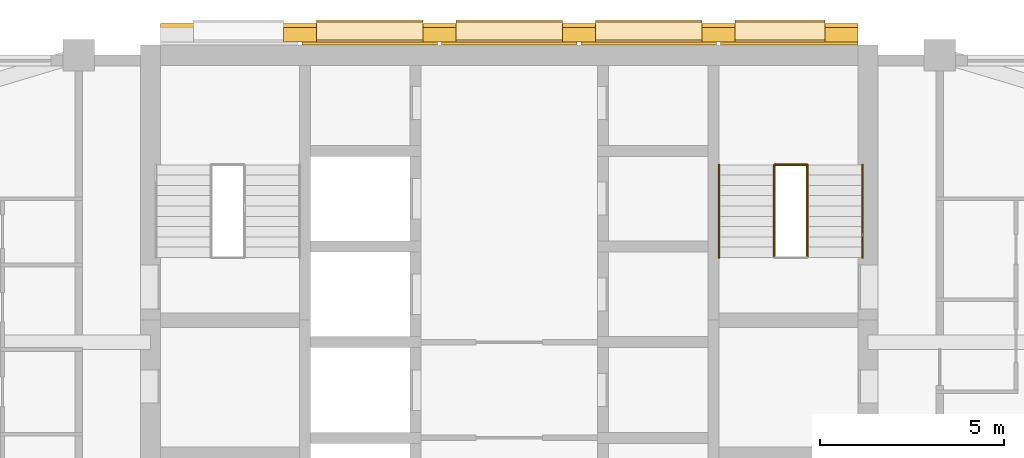
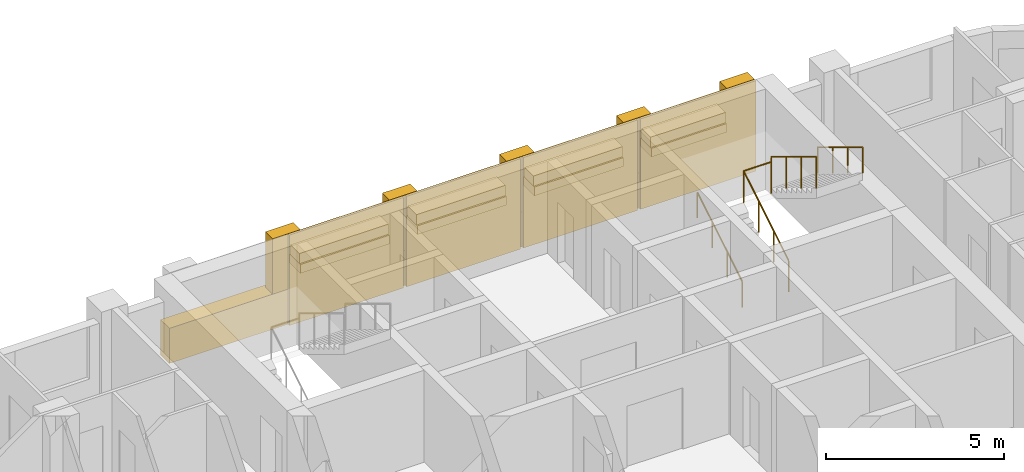
# One storey, part 14 of 14: 18 coverings, 5 railings, 1 element without a shape of its own.
"""IFC4 building model written with IfcOpenShell, lengths in metres."""

import ifcopenshell
import ifcopenshell.guid

model = None  # the IFC model being written
_history = None  # IfcOwnerHistory: only IFC2X3 demands one
_inside = {}  # id of a spatial element -> (the spatial element, [elements in it])
_under = {}  # id of a project, library or spatial element -> (it, [spatial elements below it])
_declared = {}  # id of a project -> (the project, [libraries it declares])
_typed = {}  # id of a type object -> (the type object, [elements of that type])
_made_of = {}  # id of a material, layer set ... -> (it, [elements and type objects made of it])


def new_model(schema):
    """Start an empty IFC model of exactly this schema.

    Asked for "IFC4X3", IfcOpenShell would pick the latest addendum, in which some entities
    have other attributes; the version numbers below select the first issue.
    IFC2X3 requires an IfcOwnerHistory on every rooted entity: one is made here for all.
    """
    global model, _history
    if schema == "IFC4X3":
        model = ifcopenshell.file(schema_version=(4, 3, 0, 0))
    else:
        model = ifcopenshell.file(schema=schema)
    _inside.clear()
    _under.clear()
    _declared.clear()
    _typed.clear()
    _made_of.clear()
    _history = None
    if model.schema == "IFC2X3":
        org = make("IfcOrganization", Name="unknown")
        user = make(
            "IfcPersonAndOrganization",
            ThePerson=make("IfcPerson", FamilyName="unknown"),
            TheOrganization=org,
        )
        app = make(
            "IfcApplication",
            ApplicationDeveloper=org,
            Version="unknown",
            ApplicationFullName="unknown",
            ApplicationIdentifier="unknown",
        )
        _history = make(
            "IfcOwnerHistory",
            OwningUser=user,
            OwningApplication=app,
            ChangeAction="ADDED",
            CreationDate=0,
        )
    return model


def make(cls, **values):
    """One entity of the class cls with the attributes given. An attribute that is None is left unset."""
    return model.create_entity(
        cls, **{name: value for name, value in values.items() if value is not None}
    )


def rooted(cls, **values):
    """An entity with a GlobalId (a new one), such as an element, a storey or a relation."""
    return make(cls, GlobalId=ifcopenshell.guid.new(), OwnerHistory=_history, **values)


def si_unit(unit_type, name, prefix=None):
    """IfcSIUnit, for example si_unit("LENGTHUNIT", "METRE", prefix="MILLI")."""
    return make("IfcSIUnit", UnitType=unit_type, Prefix=prefix, Name=name)


def assignment(units):
    """IfcUnitAssignment: the units of a project."""
    return None if units is None else make("IfcUnitAssignment", Units=units)


def point(xyz):
    """IfcCartesianPoint."""
    return None if xyz is None else make("IfcCartesianPoint", Coordinates=xyz)


def direction(xyz):
    """IfcDirection."""
    return None if xyz is None else make("IfcDirection", DirectionRatios=xyz)


def frame(location, z_axis=None, x_axis=None):
    """IfcAxis2Placement3D, a coordinate frame: its origin and axes. An axis left out is left unset."""
    return make(
        "IfcAxis2Placement3D",
        Location=point(location),
        Axis=direction(z_axis),
        RefDirection=direction(x_axis),
    )


def frame_2d(location, x_axis=None):
    """IfcAxis2Placement2D, a coordinate frame in the plane: its origin and x axis."""
    return make(
        "IfcAxis2Placement2D", Location=point(location), RefDirection=direction(x_axis)
    )


def origin():
    """The frame at (0, 0, 0) with its axes left unset."""
    return frame((0.0, 0.0, 0.0))


def origin_2d():
    """The frame at (0, 0) in the plane with its x axis left unset."""
    return frame_2d((0.0, 0.0))


def place(relative_to, where):
    """IfcLocalPlacement: puts the frame where relative to a parent placement (None: the world)."""
    return make(
        "IfcLocalPlacement", PlacementRelTo=relative_to, RelativePlacement=where
    )


def context(
    kind, dimensions, precision=None, world=None, true_north=None, identifier=None
):
    """IfcGeometricRepresentationContext, for example the 3D "Model" context."""
    return make(
        "IfcGeometricRepresentationContext",
        ContextIdentifier=identifier,
        ContextType=kind,
        CoordinateSpaceDimension=dimensions,
        Precision=precision,
        WorldCoordinateSystem=world,
        TrueNorth=true_north,
    )


def subcontext(parent, identifier, kind, view, scale=None):
    """IfcGeometricRepresentationSubContext, for example "Body" below "Model"."""
    return make(
        "IfcGeometricRepresentationSubContext",
        ContextIdentifier=identifier,
        ContextType=kind,
        ParentContext=parent,
        TargetScale=scale,
        TargetView=view,
    )


def project(units=None, contexts=None):
    """IfcProject with its units and contexts."""
    return rooted(
        "IfcProject",
        Name="project",
        RepresentationContexts=contexts,
        UnitsInContext=assignment(units),
    )


def spatial(cls, under=None, at=None, **own):
    """A site, building, storey or space (cls), placed at a placement, below another one or the project."""
    s = rooted(cls, ObjectPlacement=at, **own)
    if under is not None:
        _under.setdefault(under.id(), (under, []))[1].append(s)
    return s


def profile(cls, at=None, kind="AREA", **sizes):
    """A parametric profile (cls). Its sizes go by their IFC names, for example OverallWidth=200.0."""
    return make(cls, ProfileType=kind, Position=at, **sizes)


def rectangle(**sizes):
    """IfcRectangleProfileDef."""
    return profile("IfcRectangleProfileDef", **sizes)


def circle(**sizes):
    """IfcCircleProfileDef."""
    return profile("IfcCircleProfileDef", **sizes)


def extrude(swept, where, along, depth):
    """IfcExtrudedAreaSolid: the profile swept, set in the frame where, extruded along a direction by depth."""
    return make(
        "IfcExtrudedAreaSolid",
        SweptArea=swept,
        Position=where,
        ExtrudedDirection=direction(along),
        Depth=depth,
    )


def shape(context_of_items, identifier, shape_type, items):
    """IfcShapeRepresentation: the items that make up one representation, for example the "Body"."""
    return make(
        "IfcShapeRepresentation",
        ContextOfItems=context_of_items,
        RepresentationIdentifier=identifier,
        RepresentationType=shape_type,
        Items=items,
    )


def material(Name=None, Category=None):
    """IfcMaterial."""
    return make("IfcMaterial", Name=Name, Category=Category)


def layer(
    of_material, thickness, ventilated=None, Name=None, Category=None, Priority=None
):
    """IfcMaterialLayer: one layer of a wall or slab, of a material (None: an air gap)."""
    return make(
        "IfcMaterialLayer",
        Material=of_material,
        LayerThickness=thickness,
        IsVentilated=ventilated,
        Name=Name,
        Category=Category,
        Priority=Priority,
    )


def layer_set(layers, Name=None):
    """IfcMaterialLayerSet."""
    return make("IfcMaterialLayerSet", MaterialLayers=layers, LayerSetName=Name)


def made_of(thing, what):
    """Note that an element or type object is made of a material, layer set ...; save() writes the relation."""
    if what is not None:
        _made_of.setdefault(what.id(), (what, []))[1].append(thing)
    return thing


def type_object(cls, material=None, **own):
    """A type object (cls), such as IfcWallType, which elements share."""
    return made_of(rooted(cls, **own), material)


def element(
    cls,
    number,
    at=None,
    inside=None,
    cuts=None,
    type_object=None,
    material=None,
    context=None,
    identifier="Body",
    shape_type=None,
    held_by="IfcProductDefinitionShape",
    body=None,
    shapes=None,
    **own,
):
    """One element of the class cls, such as IfcWall. Its Tag is "e" and its number.

    at: its placement. inside: the storey or other place that contains it. cuts: it is an
    opening in that element (IfcRelVoidsElement). A single representation is given by context,
    identifier, shape_type and body (its items); several are given by shapes. held_by: the class
    of the entity that holds the representations. save() writes the other relations.
    """
    e = rooted(cls, Tag="e%d" % number, ObjectPlacement=at, **own)
    if body is not None:
        shapes = [shape(context, identifier, shape_type, body)]
    if shapes is not None:
        e.Representation = make(held_by, Representations=shapes)
    if inside is not None:
        _inside.setdefault(inside.id(), (inside, []))[1].append(e)
    if cuts is not None:
        rooted(
            "IfcRelVoidsElement", RelatingBuildingElement=cuts, RelatedOpeningElement=e
        )
    if type_object is not None:
        _typed.setdefault(type_object.id(), (type_object, []))[1].append(e)
    return made_of(e, material)


def aggregate(whole, parts):
    """IfcRelAggregates: a whole, such as a stair, and the parts it consists of."""
    return rooted("IfcRelAggregates", RelatingObject=whole, RelatedObjects=parts)


def save(model, path):
    """Write the relations noted so far, then the file.

    IfcRelAggregates (storeys below a building ...), IfcRelContainedInSpatialStructure (elements
    in a storey), IfcRelDefinesByType, IfcRelAssociatesMaterial and IfcRelDeclares: one each for
    every whole, place, type object, material and project.
    """
    for whole, parts in _under.values():
        aggregate(whole, parts)
    for where, things in _inside.values():
        rooted(
            "IfcRelContainedInSpatialStructure",
            RelatedElements=things,
            RelatingStructure=where,
        )
    for kind, things in _typed.values():
        rooted("IfcRelDefinesByType", RelatedObjects=things, RelatingType=kind)
    for what, things in _made_of.values():
        rooted("IfcRelAssociatesMaterial", RelatedObjects=things, RelatingMaterial=what)
    for by, libraries in _declared.values():
        rooted("IfcRelDeclares", RelatingContext=by, RelatedDefinitions=libraries)
    model.write(path)


model = new_model("IFC4")

# Units and contexts
model_context = context("Model", 3, precision=1e-05, world=origin(), true_north=direction((0.0, 1.0)))
body_context = subcontext(model_context, "Body", "Model", "MODEL_VIEW")
ifc_project = project(units=[si_unit("LENGTHUNIT", "METRE"), si_unit("AREAUNIT", "SQUARE_METRE"), si_unit("VOLUMEUNIT", "CUBIC_METRE"), si_unit("PLANEANGLEUNIT", "RADIAN"), si_unit("MASSUNIT", "GRAM", prefix="KILO")], contexts=[model_context])

# Site, building, storey
site_placement = place(None, origin())
site = spatial("IfcSite", under=ifc_project, at=site_placement, CompositionType="ELEMENT")
building_placement = place(site_placement, origin())
building = spatial("IfcBuilding", under=site, at=building_placement, Name="Ludao Terraces", CompositionType="ELEMENT")
storey_placement = place(building_placement, frame((0.0, 0.0, 99.89990234375)))
storey = spatial("IfcBuildingStorey", under=building, at=storey_placement, Name="L27", CompositionType="ELEMENT", Elevation=99.89990234375)

# Coverings
ifc_material_1 = material(Name="Granite cladding", Category="masonry")
ifc_layer_1 = layer(ifc_material_1, 0.5)
ifc_layer_set_1 = layer_set([ifc_layer_1], Name="ENV Core base course stone 500")
covering_type_1 = type_object("IfcCoveringType", Name="ENV Core base course stone 500", PredefinedType="CLADDING", material=ifc_layer_set_1)
covering_1_placement = place(storey_placement, frame((85.0, 85.10498046875, 0.0), z_axis=(0.0, 0.0, 1.0), x_axis=(1.0, 0.0, 0.0)))
element("IfcCovering", 1, at=covering_1_placement, inside=storey, type_object=covering_type_1, Name="CC-L27-BASE", PredefinedType="CLADDING", context=body_context, shape_type="SweptSolid", body=[
    extrude(rectangle(XDim=18.949951171875, YDim=0.5, at=origin_2d()), origin(), (0.0, 0.0, 1.0), 1.199951171875),
])
ifc_layer_2 = layer(ifc_material_1, 0.39990234375)
ifc_layer_set_2 = layer_set([ifc_layer_2], Name="ENV Core pilaster stone 400")
covering_type_2 = type_object("IfcCoveringType", Name="ENV Core pilaster stone 400", PredefinedType="CLADDING", material=ifc_layer_set_2)
for number, where, z_axis, x_axis, name in (
    (2, (79.31494140625, 85.054931640625, 1.2001953125), (0.0, 0.0, 1.0), (1.0, 0.0, 0.0), "CC-L27-PIL2"),
    (3, (83.10498046875, 85.054931640625, 1.2001953125), (0.0, 0.0, 1.0), (1.0, 0.0, 0.0), "CC-L27-PIL3"),
    (4, (86.89501953125, 85.054931640625, 1.2001953125), (0.0, 0.0, 1.0), (1.0, 0.0, 0.0), "CC-L27-PIL4"),
    (5, (90.68505859375, 85.054931640625, 1.2001953125), (0.0, 0.0, 1.0), (1.0, 0.0, 0.0), "CC-L27-PIL5"),
    (6, (94.02490234375, 85.054931640625, 1.2001953125), (0.0, 0.0, 1.0), (1.0, 0.0, 0.0), "CC-L27-PIL6"),
):
    element("IfcCovering", number, at=place(storey_placement, frame(where, z_axis=z_axis, x_axis=x_axis)), inside=storey, type_object=covering_type_2, Name=name, PredefinedType="CLADDING", context=body_context, shape_type="SweptSolid", body=[
        extrude(rectangle(XDim=0.89990234375, YDim=0.39990234375, at=origin_2d()), origin(), (0.0, 0.0, 1.0), 1.89990234375),
    ])
ifc_layer_3 = layer(ifc_material_1, 0.60009765625)
ifc_layer_set_3 = layer_set([ifc_layer_3], Name="ENV Core planting shelf stone 600")
covering_type_3 = type_object("IfcCoveringType", Name="ENV Core planting shelf stone 600", PredefinedType="CLADDING", material=ifc_layer_set_3)
for number, where, z_axis, x_axis, name in (
    (7, (81.2099609375, 85.155029296875, 1.60009765625), (0.0, 0.0, 1.0), (1.0, 0.0, 0.0), "CC-L27-SHELF2"),
    (8, (85.0, 85.155029296875, 1.60009765625), (0.0, 0.0, 1.0), (1.0, 0.0, 0.0), "CC-L27-SHELF3"),
    (9, (88.7900390625, 85.155029296875, 1.60009765625), (0.0, 0.0, 1.0), (1.0, 0.0, 0.0), "CC-L27-SHELF4"),
):
    element("IfcCovering", number, at=place(storey_placement, frame(where, z_axis=z_axis, x_axis=x_axis)), inside=storey, type_object=covering_type_3, Name=name, PredefinedType="CLADDING", context=body_context, shape_type="SweptSolid", body=[
        extrude(rectangle(XDim=2.889892578125, YDim=0.60009765625, at=origin_2d()), origin(), (0.0, 0.0, 1.0), 0.300048828125),
    ])
covering_2_placement = place(storey_placement, frame((92.35498046875, 85.155029296875, 1.60009765625), z_axis=(0.0, 0.0, 1.0), x_axis=(1.0, 0.0, 0.0)))
element("IfcCovering", 10, at=covering_2_placement, inside=storey, type_object=covering_type_3, Name="CC-L27-SHELF5", PredefinedType="CLADDING", context=body_context, shape_type="SweptSolid", body=[
    extrude(rectangle(XDim=2.43994140625, YDim=0.60009765625, at=origin_2d()), origin(), (0.0, 0.0, 1.0), 0.300048828125),
])
ifc_layer_4 = layer(ifc_material_1, 0.080078125)
ifc_layer_set_4 = layer_set([ifc_layer_4], Name="ENV Core stone cladding panel 80")
covering_type_4 = type_object("IfcCoveringType", Name="ENV Core stone cladding panel 80", PredefinedType="CLADDING", material=ifc_layer_set_4)
for number, where, z_axis, x_axis, name in (
    (11, (81.2099609375, 84.81494140625, 0.0), (0.0, 0.0, 1.0), (1.0, 0.0, 0.0), "CC-L27-CORE2"),
    (12, (85.0, 84.81494140625, 0.0), (0.0, 0.0, 1.0), (1.0, 0.0, 0.0), "CC-L27-CORE3"),
    (13, (88.7900390625, 84.81494140625, 0.0), (0.0, 0.0, 1.0), (1.0, 0.0, 0.0), "CC-L27-CORE4"),
):
    element("IfcCovering", number, at=place(storey_placement, frame(where, z_axis=z_axis, x_axis=x_axis)), inside=storey, type_object=covering_type_4, Name=name, PredefinedType="CLADDING", context=body_context, shape_type="SweptSolid", body=[
        extrude(rectangle(XDim=3.68994140625, YDim=0.080078125, at=origin_2d()), origin(), (0.0, 0.0, 1.0), 3.10009765625),
    ])
covering_3_placement = place(storey_placement, frame((92.60498046875, 84.81494140625, 0.0), z_axis=(0.0, 0.0, 1.0), x_axis=(1.0, 0.0, 0.0)))
element("IfcCovering", 14, at=covering_3_placement, inside=storey, type_object=covering_type_4, Name="CC-L27-CORE5", PredefinedType="CLADDING", context=body_context, shape_type="SweptSolid", body=[
    extrude(rectangle(XDim=3.739990234375, YDim=0.080078125, at=origin_2d()), origin(), (0.0, 0.0, 1.0), 3.10009765625),
])
ifc_material_2 = material(Name="Planting")
ifc_layer_5 = layer(ifc_material_2, 0.5)
ifc_layer_set_5 = layer_set([ifc_layer_5], Name="ENV Shelf planting bed 350")
covering_type_5 = type_object("IfcCoveringType", Name="ENV Shelf planting bed 350", PredefinedType="USERDEFINED", material=ifc_layer_set_5)
for number, where, z_axis, x_axis, name in (
    (15, (81.2099609375, 85.155029296875, 1.900146484375), (0.0, 0.0, 1.0), (1.0, 0.0, 0.0), "Shelf planting bed L27 2"),
    (16, (85.0, 85.155029296875, 1.900146484375), (0.0, 0.0, 1.0), (1.0, 0.0, 0.0), "Shelf planting bed L27 3"),
    (17, (88.7900390625, 85.155029296875, 1.900146484375), (0.0, 0.0, 1.0), (1.0, 0.0, 0.0), "Shelf planting bed L27 4"),
):
    element("IfcCovering", number, at=place(storey_placement, frame(where, z_axis=z_axis, x_axis=x_axis)), inside=storey, type_object=covering_type_5, Name=name, ObjectType="PLANTING", PredefinedType="USERDEFINED", context=body_context, shape_type="SweptSolid", body=[
        extrude(rectangle(XDim=2.889892578125, YDim=0.5, at=origin_2d()), origin(), (0.0, 0.0, 1.0), 0.35009765625),
    ])
covering_4_placement = place(storey_placement, frame((92.35498046875, 85.155029296875, 1.900146484375), z_axis=(0.0, 0.0, 1.0), x_axis=(1.0, 0.0, 0.0)))
element("IfcCovering", 18, at=covering_4_placement, inside=storey, type_object=covering_type_5, Name="Shelf planting bed L27 5", ObjectType="PLANTING", PredefinedType="USERDEFINED", context=body_context, shape_type="SweptSolid", body=[
    extrude(rectangle(XDim=2.43994140625, YDim=0.5, at=origin_2d()), origin(), (0.0, 0.0, 1.0), 0.35009765625),
])

# Stair, railings
ifc_material_3 = material(Name="Concrete C40", Category="concrete")
stair_type = type_object("IfcStairType", Name="INT Stair", PredefinedType="HALF_TURN_STAIR", material=ifc_material_3)
stair_placement = place(storey_placement, origin())
stair = element("IfcStair", 19, at=stair_placement, inside=storey, type_object=stair_type, Name="EXIT STAIR 2", PredefinedType="HALF_TURN_STAIR")
ifc_material_4 = material(Name="Stainless steel 304", Category="steel")
railing_type_1 = type_object("IfcRailingType", Name="INT Stair guard 1100", PredefinedType="GUARDRAIL", material=ifc_material_4)
railing_1_placement = place(storey_placement, frame((92.199951171875, 79.0, 0.170166015625)))
railing_1 = element("IfcRailing", 20, at=railing_1_placement, type_object=railing_type_1, Name="ST-L27-S2-R1G", PredefinedType="GUARDRAIL", context=body_context, shape_type="SweptSolid", body=[
    extrude(circle(Radius=0.02392578125, at=origin_2d()), frame((0.0, 0.0, 1.076171875), z_axis=(0.0, 0.85478489116, 0.518982456201), x_axis=(-1.0, 0.0, 0.0)), (0.0, 0.0, 1.0), 2.9482421875),
    extrude(circle(Radius=0.02099609375, at=origin_2d()), origin(), (0.0, 0.0, 1.0), 1.052001953125),
    extrude(circle(Radius=0.02099609375, at=origin_2d()), frame((0.0, 0.840087890625, 0.510009765625)), (0.0, 0.0, 1.0), 1.052001953125),
    extrude(circle(Radius=0.02099609375, at=origin_2d()), frame((0.0, 1.679931640625, 1.02001953125)), (0.0, 0.0, 1.0), 1.052001953125),
    extrude(circle(Radius=0.02099609375, at=origin_2d()), frame((0.0, 2.52001953125, 1.530029296875)), (0.0, 0.0, 1.0), 1.052001953125),
])
railing_2_placement = place(storey_placement, frame((93.10009765625, 81.52001953125, 1.8701171875)))
railing_2 = element("IfcRailing", 21, at=railing_2_placement, type_object=railing_type_1, Name="ST-L27-S2-R2G", PredefinedType="GUARDRAIL", context=body_context, shape_type="SweptSolid", body=[
    extrude(circle(Radius=0.02392578125, at=origin_2d()), frame((0.0, 0.0, 1.076171875), z_axis=(0.0, -0.85478489116, 0.518982456201), x_axis=(1.0, 0.0, 0.0)), (0.0, 0.0, 1.0), 2.9482421875),
    extrude(circle(Radius=0.02099609375, at=origin_2d()), origin(), (0.0, 0.0, 1.0), 1.052001953125),
    extrude(circle(Radius=0.02099609375, at=origin_2d()), frame((0.0, -0.840087890625, 0.510009765625)), (0.0, 0.0, 1.0), 1.052001953125),
    extrude(circle(Radius=0.02099609375, at=origin_2d()), frame((0.0, -1.679931640625, 1.02001953125)), (0.0, 0.0, 1.0), 1.052001953125),
    extrude(circle(Radius=0.02099609375, at=origin_2d()), frame((0.0, -2.52001953125, 1.530029296875)), (0.0, 0.0, 1.0), 1.052001953125),
])
railing_3_placement = place(storey_placement, frame((92.199951171875, 81.52001953125, 1.7001953125)))
railing_3 = element("IfcRailing", 22, at=railing_3_placement, type_object=railing_type_1, Name="ST-L27-S2-E1G", PredefinedType="GUARDRAIL", context=body_context, shape_type="SweptSolid", body=[
    extrude(circle(Radius=0.02392578125, at=origin_2d()), frame((0.0, 0.0, 1.076171875), z_axis=(1.0, 0.0, 0.0), x_axis=(0.0, 1.0, 0.0)), (0.0, 0.0, 1.0), 0.900146484375),
    extrude(circle(Radius=0.02099609375, at=origin_2d()), origin(), (0.0, 0.0, 1.0), 1.052001953125),
    extrude(circle(Radius=0.02099609375, at=origin_2d()), frame((0.900146484375, 0.0, 0.0)), (0.0, 0.0, 1.0), 1.052001953125),
])
railing_type_2 = type_object("IfcRailingType", Name="INT Stair handrail 900", PredefinedType="HANDRAIL", material=ifc_material_4)
railing_4_placement = place(storey_placement, frame((90.699951171875, 79.0, 0.170166015625)))
railing_4 = element("IfcRailing", 23, at=railing_4_placement, type_object=railing_type_2, Name="ST-L27-S2-R1H", PredefinedType="HANDRAIL", context=body_context, shape_type="SweptSolid", body=[
    extrude(circle(Radius=0.02392578125, at=origin_2d()), frame((0.0, 0.0, 0.8759765625), z_axis=(0.0, 0.85478489116, 0.518982456201), x_axis=(-1.0, 0.0, 0.0)), (0.0, 0.0, 1.0), 2.9482421875),
    extrude(circle(Radius=0.02099609375, at=origin_2d()), origin(), (0.0, 0.0, 1.0), 0.851806640625),
    extrude(circle(Radius=0.02099609375, at=origin_2d()), frame((0.0, 0.840087890625, 0.510009765625)), (0.0, 0.0, 1.0), 0.851806640625),
    extrude(circle(Radius=0.02099609375, at=origin_2d()), frame((0.0, 1.679931640625, 1.02001953125)), (0.0, 0.0, 1.0), 0.851806640625),
    extrude(circle(Radius=0.02099609375, at=origin_2d()), frame((0.0, 2.52001953125, 1.530029296875)), (0.0, 0.0, 1.0), 0.851806640625),
])
railing_5_placement = place(storey_placement, frame((94.60009765625, 81.52001953125, 1.8701171875)))
railing_5 = element("IfcRailing", 24, at=railing_5_placement, type_object=railing_type_2, Name="ST-L27-S2-R2H", PredefinedType="HANDRAIL", context=body_context, shape_type="SweptSolid", body=[
    extrude(circle(Radius=0.02392578125, at=origin_2d()), frame((0.0, 0.0, 0.8759765625), z_axis=(0.0, -0.85478489116, 0.518982456201), x_axis=(1.0, 0.0, 0.0)), (0.0, 0.0, 1.0), 2.9482421875),
    extrude(circle(Radius=0.02099609375, at=origin_2d()), origin(), (0.0, 0.0, 1.0), 0.851806640625),
    extrude(circle(Radius=0.02099609375, at=origin_2d()), frame((0.0, -0.840087890625, 0.510009765625)), (0.0, 0.0, 1.0), 0.851806640625),
    extrude(circle(Radius=0.02099609375, at=origin_2d()), frame((0.0, -1.679931640625, 1.02001953125)), (0.0, 0.0, 1.0), 0.851806640625),
    extrude(circle(Radius=0.02099609375, at=origin_2d()), frame((0.0, -2.52001953125, 1.530029296875)), (0.0, 0.0, 1.0), 0.851806640625),
])
aggregate(stair, [railing_1, railing_4, railing_2, railing_5, railing_3])

save(model, "model.ifc")
